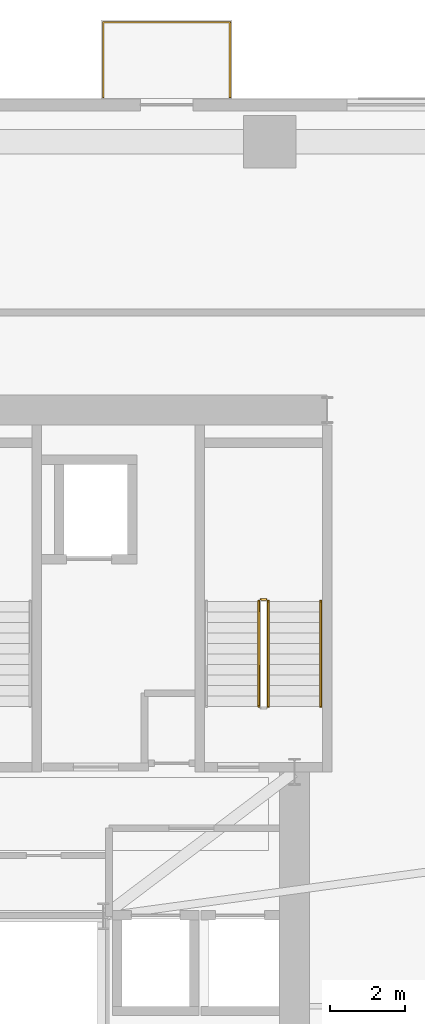
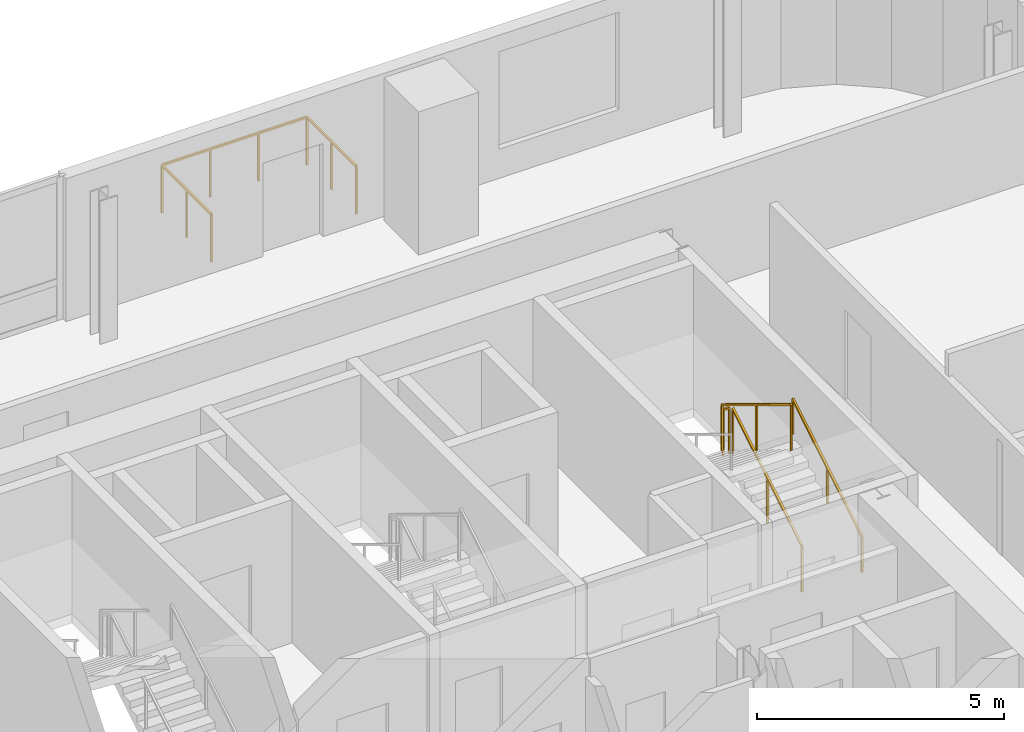
# One storey, part 17 of 17: 5 railings.
"""IFC4 building model written with IfcOpenShell, lengths in metres."""

from ifc_helpers import new_model, si_unit, direction, frame, origin, origin_2d, place, context, subcontext, project, spatial, rectangle, extrude, source, transform, mapped, material, type_object, element, save


model = new_model("IFC4")

# Units and contexts
model_context = context("Model", 3, precision=1e-05, world=origin(), true_north=direction((0.0, 1.0)))
body_context = subcontext(model_context, "Body", "Model", "MODEL_VIEW")
ifc_project = project(units=[si_unit("LENGTHUNIT", "METRE"), si_unit("AREAUNIT", "SQUARE_METRE"), si_unit("VOLUMEUNIT", "CUBIC_METRE"), si_unit("PLANEANGLEUNIT", "RADIAN"), si_unit("MASSUNIT", "GRAM", prefix="KILO")], contexts=[model_context])

# Site, building, storey
site_placement = place(None, origin())
site = spatial("IfcSite", under=ifc_project, at=site_placement, CompositionType="ELEMENT")
building_placement = place(site_placement, origin())
building = spatial("IfcBuilding", under=site, at=building_placement, Name="Vardaveli Station Tower", CompositionType="ELEMENT")
storey_placement = place(building_placement, frame((0.0, 0.0, 218.550048828125)))
storey = spatial("IfcBuildingStorey", under=building, at=storey_placement, Name="L56", CompositionType="ELEMENT", Elevation=218.550048828125)

# Railings
ifc_material_1 = material(Name="Laminated glass and stainless steel balustrade", Category="steel")
railing_type_1 = type_object("IfcRailingType", Name="RL-BAL-1200", PredefinedType="BALUSTRADE", material=ifc_material_1)
shared_shape_1 = source(origin(), body_context, "Body", "SweptSolid", [
    extrude(rectangle(XDim=0.048095703125, YDim=0.048095703125, at=origin_2d()), frame((0.0, 0.0, 1.17578125), z_axis=(0.0, 1.0, 0.0), x_axis=(-1.0, 0.0, 0.0)), (0.0, 0.0, 1.0), 2.0),
    extrude(rectangle(XDim=0.048095703125, YDim=0.048095703125, at=origin_2d()), frame((0.0, 2.0, 1.17578125), z_axis=(1.0, 0.0, 0.0), x_axis=(0.0, 1.0, 0.0)), (0.0, 0.0, 1.0), 3.3798828125),
    extrude(rectangle(XDim=0.048095703125, YDim=0.048095703125, at=origin_2d()), frame((3.3798828125, 2.0, 1.17578125), z_axis=(0.0, -1.0, 0.0), x_axis=(1.0, 0.0, 0.0)), (0.0, 0.0, 1.0), 2.0),
    extrude(rectangle(XDim=0.0419921875, YDim=0.0419921875, at=origin_2d()), origin(), (0.0, 0.0, 1.0), 1.15185546875),
    extrude(rectangle(XDim=0.0419921875, YDim=0.0419921875, at=origin_2d()), frame((0.0, 1.0, 0.0)), (0.0, 0.0, 1.0), 1.15185546875),
    extrude(rectangle(XDim=0.0419921875, YDim=0.0419921875, at=origin_2d()), frame((0.0, 2.0, 0.0)), (0.0, 0.0, 1.0), 1.15185546875),
    extrude(rectangle(XDim=0.0419921875, YDim=0.0419921875, at=origin_2d()), frame((1.126708984375, 2.0, 0.0)), (0.0, 0.0, 1.0), 1.15185546875),
    extrude(rectangle(XDim=0.0419921875, YDim=0.0419921875, at=origin_2d()), frame((2.253173828125, 2.0, 0.0)), (0.0, 0.0, 1.0), 1.15185546875),
    extrude(rectangle(XDim=0.0419921875, YDim=0.0419921875, at=origin_2d()), frame((3.3798828125, 2.0, 0.0)), (0.0, 0.0, 1.0), 1.15185546875),
    extrude(rectangle(XDim=0.0419921875, YDim=0.0419921875, at=origin_2d()), frame((3.3798828125, 1.0, 0.0)), (0.0, 0.0, 1.0), 1.15185546875),
    extrude(rectangle(XDim=0.0419921875, YDim=0.0419921875, at=origin_2d()), frame((3.3798828125, 0.0, 0.0)), (0.0, 0.0, 1.0), 1.15185546875),
])
railing_1_placement = place(storey_placement, frame((41.399658203125, 48.639892578125, 0.0)))
element("IfcRailing", 1, at=railing_1_placement, inside=storey, type_object=railing_type_1, Name="RL-LOG-L56-02", PredefinedType="BALUSTRADE", context=body_context, shape_type="MappedRepresentation", body=[
    mapped(shared_shape_1, transform((0.0, 0.0, 0.0), scale=1.0)),
])
ifc_material_2 = material(Name="Brushed AISI 316 stainless steel", Category="steel")
railing_type_2 = type_object("IfcRailingType", Name="RL-GUARD-1150", PredefinedType="GUARDRAIL", material=ifc_material_2)
shared_shape_2 = source(origin(), body_context, "Body", "SweptSolid", [
    extrude(rectangle(XDim=0.048095703125, YDim=0.048095703125, at=origin_2d()), frame((0.0, 0.0, 1.1259765625), z_axis=(-1.0, 0.0, 0.0), x_axis=(0.0, -1.0, 0.0)), (0.0, 0.0, 1.0), 0.14990234375),
    extrude(rectangle(XDim=0.0419921875, YDim=0.0419921875, at=origin_2d()), origin(), (0.0, 0.0, 1.0), 1.101806640625),
    extrude(rectangle(XDim=0.0419921875, YDim=0.0419921875, at=origin_2d()), frame((-0.14990234375, 0.0, 0.0)), (0.0, 0.0, 1.0), 1.101806640625),
])
railing_2_placement = place(storey_placement, frame((45.75, 35.25, 1.875)))
element("IfcRailing", 2, at=railing_2_placement, inside=storey, type_object=railing_type_2, Name="L56 ST-3 stair guard 2", PredefinedType="GUARDRAIL", context=body_context, shape_type="MappedRepresentation", body=[
    mapped(shared_shape_2, transform((0.0, 0.0, 0.0), scale=1.0)),
])
shared_shape_3 = source(origin(), body_context, "Body", "SweptSolid", [
    extrude(rectangle(XDim=0.048095703125, YDim=0.048095703125, at=origin_2d()), frame((0.0, 0.0, 1.1259765625), z_axis=(0.0, 0.854169791009, 0.51999420009), x_axis=(-1.0, 0.0, 0.0)), (0.0, 0.0, 1.0), 3.278076171875),
    extrude(rectangle(XDim=0.0419921875, YDim=0.0419921875, at=origin_2d()), origin(), (0.0, 0.0, 1.0), 1.101806640625),
    extrude(rectangle(XDim=0.0419921875, YDim=0.0419921875, at=origin_2d()), frame((0.0, 1.39990234375, 0.852294921875)), (0.0, 0.0, 1.0), 1.101806640625),
    extrude(rectangle(XDim=0.0419921875, YDim=0.0419921875, at=origin_2d()), frame((0.0, 2.800048828125, 1.70458984375)), (0.0, 0.0, 1.0), 1.101806640625),
])
railing_3_placement = place(storey_placement, frame((45.800048828125, 32.39990234375, 0.17041015625)))
element("IfcRailing", 3, at=railing_3_placement, inside=storey, type_object=railing_type_2, Name="L56 ST-3 stair guard 1", PredefinedType="GUARDRAIL", context=body_context, shape_type="MappedRepresentation", body=[
    mapped(shared_shape_3, transform((0.0, 0.0, 0.0), scale=1.0)),
])
shared_shape_4 = source(origin(), body_context, "Body", "SweptSolid", [
    extrude(rectangle(XDim=0.048095703125, YDim=0.048095703125, at=origin_2d()), frame((0.0, 0.0, 1.1259765625), z_axis=(0.0, -0.854169791009, 0.51999420009), x_axis=(1.0, 0.0, 0.0)), (0.0, 0.0, 1.0), 3.278076171875),
    extrude(rectangle(XDim=0.0419921875, YDim=0.0419921875, at=origin_2d()), origin(), (0.0, 0.0, 1.0), 1.101806640625),
    extrude(rectangle(XDim=0.0419921875, YDim=0.0419921875, at=origin_2d()), frame((0.0, -1.39990234375, 0.852294921875)), (0.0, 0.0, 1.0), 1.101806640625),
    extrude(rectangle(XDim=0.0419921875, YDim=0.0419921875, at=origin_2d()), frame((0.0, -2.800048828125, 1.70458984375)), (0.0, 0.0, 1.0), 1.101806640625),
])
railing_4_placement = place(storey_placement, frame((45.550048828125, 35.199951171875, 2.04541015625)))
element("IfcRailing", 4, at=railing_4_placement, inside=storey, type_object=railing_type_2, Name="L56 ST-3 stair guard 3", PredefinedType="GUARDRAIL", context=body_context, shape_type="MappedRepresentation", body=[
    mapped(shared_shape_4, transform((0.0, 0.0, 0.0), scale=1.0)),
])
railing_type_3 = type_object("IfcRailingType", Name="RL-HAND-900", PredefinedType="HANDRAIL", material=ifc_material_2)
shared_shape_5 = source(origin(), body_context, "Body", "SweptSolid", [
    extrude(rectangle(XDim=0.048095703125, YDim=0.048095703125, at=origin_2d()), frame((0.0, 0.0, 0.8759765625), z_axis=(0.0, 0.854169791009, 0.51999420009), x_axis=(-1.0, 0.0, 0.0)), (0.0, 0.0, 1.0), 3.278076171875),
    extrude(rectangle(XDim=0.0419921875, YDim=0.0419921875, at=origin_2d()), origin(), (0.0, 0.0, 1.0), 0.851806640625),
    extrude(rectangle(XDim=0.0419921875, YDim=0.0419921875, at=origin_2d()), frame((0.0, 1.39990234375, 0.852294921875)), (0.0, 0.0, 1.0), 0.851806640625),
    extrude(rectangle(XDim=0.0419921875, YDim=0.0419921875, at=origin_2d()), frame((0.0, 2.800048828125, 1.70458984375)), (0.0, 0.0, 1.0), 0.851806640625),
])
railing_5_placement = place(storey_placement, frame((47.199951171875, 32.39990234375, 0.17041015625)))
element("IfcRailing", 5, at=railing_5_placement, inside=storey, type_object=railing_type_3, Name="L56 ST-3 stair handrail 1", PredefinedType="HANDRAIL", context=body_context, shape_type="MappedRepresentation", body=[
    mapped(shared_shape_5, transform((0.0, 0.0, 0.0), scale=1.0)),
])

save(model, "model.ifc")
